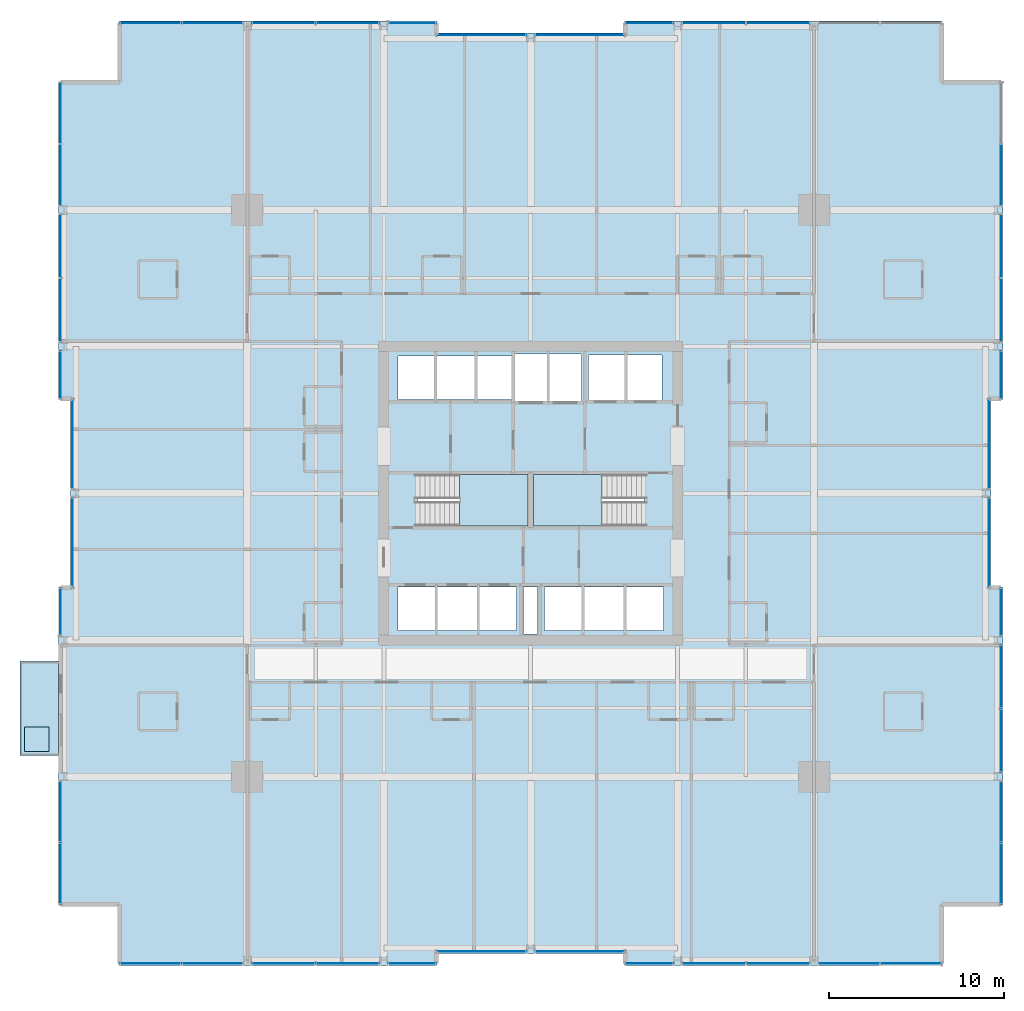
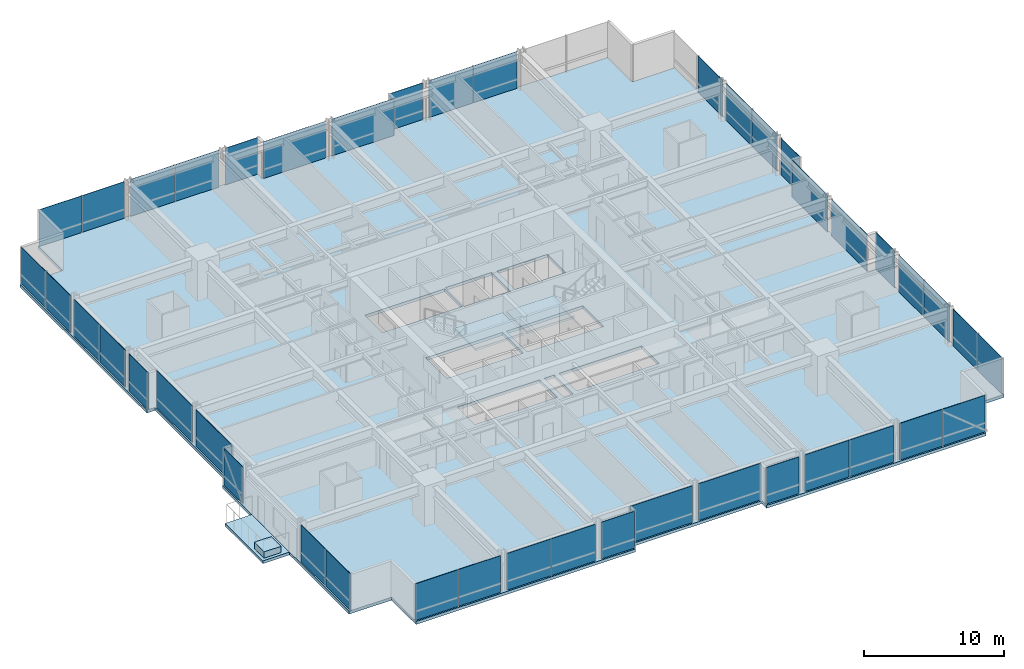
# One storey, part 29 of 39: 43 plates, 5 slabs, 32 elements without a shape of their own.
"""IFC4 building model written with IfcOpenShell, lengths in metres."""

from ifc_helpers import new_model, si_unit, direction, frame, origin, origin_2d, place, context, subcontext, project, spatial, polyline, rectangle, outline, extrude, material, layer, layer_set, type_object, element, aggregate, save


model = new_model("IFC4")

# Units and contexts
model_context = context("Model", 3, precision=1e-05, world=origin(), true_north=direction((0.0, 1.0)))
body_context = subcontext(model_context, "Body", "Model", "MODEL_VIEW")
ifc_project = project(units=[si_unit("LENGTHUNIT", "METRE"), si_unit("AREAUNIT", "SQUARE_METRE"), si_unit("VOLUMEUNIT", "CUBIC_METRE"), si_unit("PLANEANGLEUNIT", "RADIAN"), si_unit("MASSUNIT", "GRAM", prefix="KILO")], contexts=[model_context])

# Site, building, storey
site_placement = place(None, origin())
site = spatial("IfcSite", under=ifc_project, at=site_placement, CompositionType="ELEMENT")
building_placement = place(site_placement, origin())
building = spatial("IfcBuilding", under=site, at=building_placement, Name="Drelvath Grand Hotel", CompositionType="ELEMENT")
storey_placement = place(building_placement, frame((0.0, 0.0, 54.199951171875)))
storey = spatial("IfcBuildingStorey", under=building, at=storey_placement, Name="L12", CompositionType="ELEMENT", Elevation=54.199951171875)

# Slabs
ifc_material_1 = material(Name="Concrete f'c 40 MPa", Category="concrete")
ifc_layer_1 = layer(ifc_material_1, 0.239990234375)
ifc_layer_set_1 = layer_set([ifc_layer_1], Name="Concrete f'c 40 MPa")
slab_type_1 = type_object("IfcSlabType", Name="Cantilevered Tree Balcony Slab 240", PredefinedType="FLOOR", material=ifc_layer_set_1)
slab_1_placement = place(storey_placement, frame((0.0, 0.0, -0.239990234375)))
element("IfcSlab", 1, at=slab_1_placement, inside=storey, type_object=slab_type_1, Name="L12 Cantilevered Tree Balcony Slab 1", PredefinedType="FLOOR", context=body_context, shape_type="SweptSolid", body=[
    extrude(outline(polyline([(-29.199951171875, 12.0), (-27.0, 12.0), (-27.0, 17.39990234375), (-29.199951171875, 17.39990234375), (-29.199951171875, 12.0)])), origin(), (0.0, 0.0, 1.0), 0.239990234375),
])
ifc_layer_2 = layer(ifc_material_1, 0.260009765625)
ifc_layer_set_2 = layer_set([ifc_layer_2], Name="Concrete f'c 40 MPa")
slab_type_2 = type_object("IfcSlabType", Name="Composite RC Floor Slab 260", PredefinedType="FLOOR", material=ifc_layer_set_2)
slab_2_placement = place(storey_placement, frame((0.0, 0.0, -0.260009765625)))
element("IfcSlab", 2, at=slab_2_placement, inside=storey, type_object=slab_type_2, Name="L12 Structural Floor Slab", PredefinedType="FLOOR", context=body_context, shape_type="SweptSolid", body=[
    extrude(outline(polyline([(-23.5, 0.0), (-5.39990234375, 0.0), (-5.39990234375, 0.679931640625), (5.39990234375, 0.679931640625), (5.39990234375, 0.0), (23.5, 0.0), (23.5, 3.5), (27.0, 3.5), (27.0, 21.60009765625), (26.320068359375, 21.60009765625), (26.320068359375, 32.39990234375), (27.0, 32.39990234375), (27.0, 50.5), (23.5, 50.5), (23.5, 54.0), (5.39990234375, 54.0), (5.39990234375, 53.320068359375), (-5.39990234375, 53.320068359375), (-5.39990234375, 54.0), (-23.5, 54.0), (-23.5, 50.5), (-27.0, 50.5), (-27.0, 32.39990234375), (-26.320068359375, 32.39990234375), (-26.320068359375, 21.60009765625), (-27.0, 21.60009765625), (-27.0, 3.5), (-23.5, 3.5), (-23.5, 0.0)]), holes=[polyline([(-6.47998046875, 25.1201171875), (-6.47998046875, 28.080078125), (-0.14990234375, 28.080078125), (-0.14990234375, 25.1201171875), (-6.47998046875, 25.1201171875)]), polyline([(0.14990234375, 25.1201171875), (0.14990234375, 28.080078125), (6.47998046875, 28.080078125), (6.47998046875, 25.1201171875), (0.14990234375, 25.1201171875)]), polyline([(-7.60009765625, 19.14990234375), (-7.60009765625, 21.64990234375), (-0.800048828125, 21.64990234375), (-0.800048828125, 19.14990234375), (-7.60009765625, 19.14990234375)]), polyline([(-0.39990234375, 18.9599609375), (-0.39990234375, 21.639892578125), (0.39990234375, 21.639892578125), (0.39990234375, 18.9599609375), (-0.39990234375, 18.9599609375)]), polyline([(0.800048828125, 19.14990234375), (0.800048828125, 21.64990234375), (7.60009765625, 21.64990234375), (7.60009765625, 19.14990234375), (0.800048828125, 19.14990234375)]), polyline([(-7.60009765625, 32.35009765625), (-7.60009765625, 34.85009765625), (-1.02001953125, 34.85009765625), (-1.02001953125, 32.35009765625), (-7.60009765625, 32.35009765625)]), polyline([(-0.89990234375, 32.25), (-0.89990234375, 34.949951171875), (2.89990234375, 34.949951171875), (2.89990234375, 32.25), (-0.89990234375, 32.25)]), polyline([(3.300048828125, 32.300048828125), (3.300048828125, 34.89990234375), (7.5, 34.89990234375), (7.5, 32.300048828125), (3.300048828125, 32.300048828125)])]), origin(), (0.0, 0.0, 1.0), 0.260009765625),
])

# Stair, slab
ifc_material_2 = material(Name="Concrete C40/50", Category="concrete")
stair_type = type_object("IfcStairType", Name="Dogleg Exit Stair W1400-R175.0", PredefinedType="HALF_TURN_STAIR", material=ifc_material_2)
stair_1_placement = place(storey_placement, origin())
stair_1 = element("IfcStair", 3, at=stair_1_placement, inside=storey, type_object=stair_type, Name="L12 Core Exit Stair ST-1", PredefinedType="HALF_TURN_STAIR")
ifc_layer_3 = layer(ifc_material_2, 0.199951171875)
ifc_layer_set_3 = layer_set([ifc_layer_3], Name="Concrete C40/50")
slab_type_3 = type_object("IfcSlabType", Name="Concrete Stair Landing Slab 200", PredefinedType="LANDING", material=ifc_layer_set_3)
slab_3_placement = place(storey_placement, frame((0.0, 0.0, 1.550048828125)))
slab_3 = element("IfcSlab", 4, at=slab_3_placement, type_object=slab_type_3, Name="ST-1 landing 1", PredefinedType="LANDING", context=body_context, shape_type="SweptSolid", body=[
    extrude(outline(polyline([(-4.080078125, 25.1201171875), (-0.14990234375, 25.1201171875), (-0.14990234375, 28.080078125), (-4.080078125, 28.080078125), (-4.080078125, 25.1201171875)])), origin(), (0.0, 0.0, 1.0), 0.199951171875),
])
aggregate(stair_1, [slab_3])

stair_2_placement = place(storey_placement, origin())
stair_2 = element("IfcStair", 5, at=stair_2_placement, inside=storey, type_object=stair_type, Name="L12 Core Exit Stair ST-2", PredefinedType="HALF_TURN_STAIR")
slab_4_placement = place(storey_placement, frame((0.0, 0.0, 1.550048828125)))
slab_4 = element("IfcSlab", 6, at=slab_4_placement, type_object=slab_type_3, Name="ST-2 landing 1", PredefinedType="LANDING", context=body_context, shape_type="SweptSolid", body=[
    extrude(outline(polyline([(4.080078125, 28.080078125), (0.14990234375, 28.080078125), (0.14990234375, 25.1201171875), (4.080078125, 25.1201171875), (4.080078125, 28.080078125)])), origin(), (0.0, 0.0, 1.0), 0.199951171875),
])
aggregate(stair_2, [slab_4])

# Curtain wall, plates
ifc_material_3 = material(Name="Warm Bronze Anodised Aluminium Frame", Category="aluminium")
ifc_layer_4 = layer(ifc_material_3, 0.199951171875)
ifc_layer_set_4 = layer_set([ifc_layer_4], Name="Warm Bronze Anodised Aluminium Frame")
curtain_wall_type = type_object("IfcCurtainWallType", Name="Stick Curtain Wall CW-02 Warm Bronze Low-Rise", PredefinedType="NOTDEFINED", material=ifc_layer_set_4)
curtain_wall_1_placement = place(storey_placement, origin())
curtain_wall_1 = element("IfcCurtainWall", 7, at=curtain_wall_1_placement, inside=storey, type_object=curtain_wall_type, Name="L12 CW-02 Curtain Wall CW02-L12-WS1", PredefinedType="NOTDEFINED")
ifc_material_4 = material(Name="Low-E Triple Silver Vision Glass Bronze Tint", Category="glass")
ifc_layer_5 = layer(ifc_material_4, 0.035888671875)
ifc_layer_set_5 = layer_set([ifc_layer_5], Name="Low-E Triple Silver Vision Glass Bronze Tint")
plate_type = type_object("IfcPlateType", Name="Curtain Wall Vision Panel CW-02 36mm", PredefinedType="CURTAIN_PANEL", material=ifc_layer_set_5)
plate_1_placement = place(storey_placement, frame((-26.8798828125, 5.264892578125, 0.02001953125), z_axis=(0.0, 0.0, 1.0), x_axis=(0.0, 1.0, 0.0)))
plate_1 = element("IfcPlate", 8, at=plate_1_placement, type_object=plate_type, Name="CW02-L12-WS1 Glazed Panel 1", PredefinedType="CURTAIN_PANEL", context=body_context, shape_type="SweptSolid", body=[
    extrude(rectangle(XDim=3.489501953125, YDim=0.035888671875, at=origin_2d()), origin(), (0.0, 0.0, 1.0), 3.199951171875),
])
plate_2_placement = place(storey_placement, frame((-26.8798828125, 8.794189453125, 0.02001953125), z_axis=(0.0, 0.0, 1.0), x_axis=(0.0, 1.0, 0.0)))
plate_2 = element("IfcPlate", 9, at=plate_2_placement, type_object=plate_type, Name="CW02-L12-WS1 Glazed Panel 2", PredefinedType="CURTAIN_PANEL", context=body_context, shape_type="SweptSolid", body=[
    extrude(rectangle(XDim=3.489501953125, YDim=0.035888671875, at=origin_2d()), origin(), (0.0, 0.0, 1.0), 3.199951171875),
])
aggregate(curtain_wall_1, [plate_1, plate_2])

# Curtain wall, plate
curtain_wall_2_placement = place(storey_placement, origin())
curtain_wall_2 = element("IfcCurtainWall", 10, at=curtain_wall_2_placement, inside=storey, type_object=curtain_wall_type, Name="L12 CW-02 Curtain Wall CW02-L12-WS3", PredefinedType="NOTDEFINED")
plate_3_placement = place(storey_placement, frame((-26.8798828125, 20.220458984375, 0.02001953125), z_axis=(0.0, 0.0, 1.0), x_axis=(0.0, 1.0, 0.0)))
plate_3 = element("IfcPlate", 11, at=plate_3_placement, type_object=plate_type, Name="CW02-L12-WS3 Glazed Panel 1", PredefinedType="CURTAIN_PANEL", context=body_context, shape_type="SweptSolid", body=[
    extrude(rectangle(XDim=2.718994140625, YDim=0.035888671875, at=origin_2d()), origin(), (0.0, 0.0, 1.0), 3.199951171875),
])
aggregate(curtain_wall_2, [plate_3])

curtain_wall_3_placement = place(storey_placement, origin())
curtain_wall_3 = element("IfcCurtainWall", 12, at=curtain_wall_3_placement, inside=storey, type_object=curtain_wall_type, Name="L12 CW-02 Curtain Wall CW02-L12-WM1", PredefinedType="NOTDEFINED")
plate_4_placement = place(storey_placement, frame((-26.199951171875, 24.179443359375, 0.02001953125), z_axis=(0.0, 0.0, 1.0), x_axis=(0.0, 1.0, 0.0)))
plate_4 = element("IfcPlate", 13, at=plate_4_placement, type_object=plate_type, Name="CW02-L12-WM1 Glazed Panel 1", PredefinedType="CURTAIN_PANEL", context=body_context, shape_type="SweptSolid", body=[
    extrude(rectangle(XDim=5.119140625, YDim=0.035888671875, at=origin_2d()), origin(), (0.0, 0.0, 1.0), 3.199951171875),
])
aggregate(curtain_wall_3, [plate_4])

curtain_wall_4_placement = place(storey_placement, origin())
curtain_wall_4 = element("IfcCurtainWall", 14, at=curtain_wall_4_placement, inside=storey, type_object=curtain_wall_type, Name="L12 CW-02 Curtain Wall CW02-L12-WM2", PredefinedType="NOTDEFINED")
plate_5_placement = place(storey_placement, frame((-26.199951171875, 29.820556640625, 0.02001953125), z_axis=(0.0, 0.0, 1.0), x_axis=(0.0, 1.0, 0.0)))
plate_5 = element("IfcPlate", 15, at=plate_5_placement, type_object=plate_type, Name="CW02-L12-WM2 Glazed Panel 1", PredefinedType="CURTAIN_PANEL", context=body_context, shape_type="SweptSolid", body=[
    extrude(rectangle(XDim=5.119140625, YDim=0.035888671875, at=origin_2d()), origin(), (0.0, 0.0, 1.0), 3.199951171875),
])
aggregate(curtain_wall_4, [plate_5])

curtain_wall_5_placement = place(storey_placement, origin())
curtain_wall_5 = element("IfcCurtainWall", 16, at=curtain_wall_5_placement, inside=storey, type_object=curtain_wall_type, Name="L12 CW-02 Curtain Wall CW02-L12-WN1", PredefinedType="NOTDEFINED")
plate_6_placement = place(storey_placement, frame((-26.8798828125, 33.779541015625, 0.02001953125), z_axis=(0.0, 0.0, 1.0), x_axis=(0.0, 1.0, 0.0)))
plate_6 = element("IfcPlate", 17, at=plate_6_placement, type_object=plate_type, Name="CW02-L12-WN1 Glazed Panel 1", PredefinedType="CURTAIN_PANEL", context=body_context, shape_type="SweptSolid", body=[
    extrude(rectangle(XDim=2.718994140625, YDim=0.035888671875, at=origin_2d()), origin(), (0.0, 0.0, 1.0), 3.199951171875),
])
aggregate(curtain_wall_5, [plate_6])

# Curtain wall, plates
curtain_wall_6_placement = place(storey_placement, origin())
curtain_wall_6 = element("IfcCurtainWall", 18, at=curtain_wall_6_placement, inside=storey, type_object=curtain_wall_type, Name="L12 CW-02 Curtain Wall CW02-L12-WN2", PredefinedType="NOTDEFINED")
plate_7_placement = place(storey_placement, frame((-26.8798828125, 37.470458984375, 0.02001953125), z_axis=(0.0, 0.0, 1.0), x_axis=(0.0, 1.0, 0.0)))
plate_7 = element("IfcPlate", 19, at=plate_7_placement, type_object=plate_type, Name="CW02-L12-WN2 Glazed Panel 1", PredefinedType="CURTAIN_PANEL", context=body_context, shape_type="SweptSolid", body=[
    extrude(rectangle(XDim=3.619140625, YDim=0.035888671875, at=origin_2d()), origin(), (0.0, 0.0, 1.0), 3.199951171875),
])
plate_8_placement = place(storey_placement, frame((-26.8798828125, 41.129638671875, 0.02001953125), z_axis=(0.0, 0.0, 1.0), x_axis=(0.0, 1.0, 0.0)))
plate_8 = element("IfcPlate", 20, at=plate_8_placement, type_object=plate_type, Name="CW02-L12-WN2 Glazed Panel 2", PredefinedType="CURTAIN_PANEL", context=body_context, shape_type="SweptSolid", body=[
    extrude(rectangle(XDim=3.619140625, YDim=0.035888671875, at=origin_2d()), origin(), (0.0, 0.0, 1.0), 3.199951171875),
])
aggregate(curtain_wall_6, [plate_7, plate_8])

curtain_wall_7_placement = place(storey_placement, origin())
curtain_wall_7 = element("IfcCurtainWall", 21, at=curtain_wall_7_placement, inside=storey, type_object=curtain_wall_type, Name="L12 CW-02 Curtain Wall CW02-L12-WN3", PredefinedType="NOTDEFINED")
plate_9_placement = place(storey_placement, frame((-26.8798828125, 45.205810546875, 0.02001953125), z_axis=(0.0, 0.0, 1.0), x_axis=(0.0, 1.0, 0.0)))
plate_9 = element("IfcPlate", 22, at=plate_9_placement, type_object=plate_type, Name="CW02-L12-WN3 Glazed Panel 1", PredefinedType="CURTAIN_PANEL", context=body_context, shape_type="SweptSolid", body=[
    extrude(rectangle(XDim=3.489501953125, YDim=0.035888671875, at=origin_2d()), origin(), (0.0, 0.0, 1.0), 3.199951171875),
])
plate_10_placement = place(storey_placement, frame((-26.8798828125, 48.735107421875, 0.02001953125), z_axis=(0.0, 0.0, 1.0), x_axis=(0.0, 1.0, 0.0)))
plate_10 = element("IfcPlate", 23, at=plate_10_placement, type_object=plate_type, Name="CW02-L12-WN3 Glazed Panel 2", PredefinedType="CURTAIN_PANEL", context=body_context, shape_type="SweptSolid", body=[
    extrude(rectangle(XDim=3.489501953125, YDim=0.035888671875, at=origin_2d()), origin(), (0.0, 0.0, 1.0), 3.199951171875),
])
aggregate(curtain_wall_7, [plate_9, plate_10])

# Curtain wall, plate
curtain_wall_8_placement = place(storey_placement, origin())
curtain_wall_8 = element("IfcCurtainWall", 24, at=curtain_wall_8_placement, inside=storey, type_object=curtain_wall_type, Name="L12 CW-02 Curtain Wall CW02-L12-EN1", PredefinedType="NOTDEFINED")
plate_11_placement = place(storey_placement, frame((26.8798828125, 33.779541015625, 0.02001953125), z_axis=(0.0, 0.0, 1.0), x_axis=(0.0, -1.0, 0.0)))
plate_11 = element("IfcPlate", 25, at=plate_11_placement, type_object=plate_type, Name="CW02-L12-EN1 Glazed Panel 1", PredefinedType="CURTAIN_PANEL", context=body_context, shape_type="SweptSolid", body=[
    extrude(rectangle(XDim=2.718994140625, YDim=0.035888671875, at=origin_2d()), origin(), (0.0, 0.0, 1.0), 3.199951171875),
])
aggregate(curtain_wall_8, [plate_11])

# Curtain wall, plates
curtain_wall_9_placement = place(storey_placement, origin())
curtain_wall_9 = element("IfcCurtainWall", 26, at=curtain_wall_9_placement, inside=storey, type_object=curtain_wall_type, Name="L12 CW-02 Curtain Wall CW02-L12-EN2", PredefinedType="NOTDEFINED")
plate_12_placement = place(storey_placement, frame((26.8798828125, 41.129638671875, 0.02001953125), z_axis=(0.0, 0.0, 1.0), x_axis=(0.0, -1.0, 0.0)))
plate_12 = element("IfcPlate", 27, at=plate_12_placement, type_object=plate_type, Name="CW02-L12-EN2 Glazed Panel 1", PredefinedType="CURTAIN_PANEL", context=body_context, shape_type="SweptSolid", body=[
    extrude(rectangle(XDim=3.619140625, YDim=0.035888671875, at=origin_2d()), origin(), (0.0, 0.0, 1.0), 3.199951171875),
])
plate_13_placement = place(storey_placement, frame((26.8798828125, 37.470458984375, 0.02001953125), z_axis=(0.0, 0.0, 1.0), x_axis=(0.0, -1.0, 0.0)))
plate_13 = element("IfcPlate", 28, at=plate_13_placement, type_object=plate_type, Name="CW02-L12-EN2 Glazed Panel 2", PredefinedType="CURTAIN_PANEL", context=body_context, shape_type="SweptSolid", body=[
    extrude(rectangle(XDim=3.619140625, YDim=0.035888671875, at=origin_2d()), origin(), (0.0, 0.0, 1.0), 3.199951171875),
])
aggregate(curtain_wall_9, [plate_12, plate_13])

# Curtain wall, plate
curtain_wall_10_placement = place(storey_placement, origin())
curtain_wall_10 = element("IfcCurtainWall", 29, at=curtain_wall_10_placement, inside=storey, type_object=curtain_wall_type, Name="L12 CW-02 Curtain Wall CW02-L12-EN3", PredefinedType="NOTDEFINED")
plate_14_placement = place(storey_placement, frame((26.8798828125, 45.205810546875, 0.02001953125), z_axis=(0.0, 0.0, 1.0), x_axis=(0.0, -1.0, 0.0)))
plate_14 = element("IfcPlate", 30, at=plate_14_placement, type_object=plate_type, Name="CW02-L12-EN3 Glazed Panel 2", PredefinedType="CURTAIN_PANEL", context=body_context, shape_type="SweptSolid", body=[
    extrude(rectangle(XDim=3.489501953125, YDim=0.035888671875, at=origin_2d()), origin(), (0.0, 0.0, 1.0), 3.199951171875),
])
aggregate(curtain_wall_10, [plate_14])

curtain_wall_11_placement = place(storey_placement, origin())
curtain_wall_11 = element("IfcCurtainWall", 31, at=curtain_wall_11_placement, inside=storey, type_object=curtain_wall_type, Name="L12 CW-02 Curtain Wall CW02-L12-EM1", PredefinedType="NOTDEFINED")
plate_15_placement = place(storey_placement, frame((26.199951171875, 24.179443359375, 0.02001953125), z_axis=(0.0, 0.0, 1.0), x_axis=(0.0, -1.0, 0.0)))
plate_15 = element("IfcPlate", 32, at=plate_15_placement, type_object=plate_type, Name="CW02-L12-EM1 Glazed Panel 1", PredefinedType="CURTAIN_PANEL", context=body_context, shape_type="SweptSolid", body=[
    extrude(rectangle(XDim=5.119140625, YDim=0.035888671875, at=origin_2d()), origin(), (0.0, 0.0, 1.0), 3.199951171875),
])
aggregate(curtain_wall_11, [plate_15])

curtain_wall_12_placement = place(storey_placement, origin())
curtain_wall_12 = element("IfcCurtainWall", 33, at=curtain_wall_12_placement, inside=storey, type_object=curtain_wall_type, Name="L12 CW-02 Curtain Wall CW02-L12-EM2", PredefinedType="NOTDEFINED")
plate_16_placement = place(storey_placement, frame((26.199951171875, 29.820556640625, 0.02001953125), z_axis=(0.0, 0.0, 1.0), x_axis=(0.0, -1.0, 0.0)))
plate_16 = element("IfcPlate", 34, at=plate_16_placement, type_object=plate_type, Name="CW02-L12-EM2 Glazed Panel 1", PredefinedType="CURTAIN_PANEL", context=body_context, shape_type="SweptSolid", body=[
    extrude(rectangle(XDim=5.119140625, YDim=0.035888671875, at=origin_2d()), origin(), (0.0, 0.0, 1.0), 3.199951171875),
])
aggregate(curtain_wall_12, [plate_16])

# Curtain wall, plates
curtain_wall_13_placement = place(storey_placement, origin())
curtain_wall_13 = element("IfcCurtainWall", 35, at=curtain_wall_13_placement, inside=storey, type_object=curtain_wall_type, Name="L12 CW-02 Curtain Wall CW02-L12-ES1", PredefinedType="NOTDEFINED")
plate_17_placement = place(storey_placement, frame((26.8798828125, 8.794189453125, 0.02001953125), z_axis=(0.0, 0.0, 1.0), x_axis=(0.0, -1.0, 0.0)))
plate_17 = element("IfcPlate", 36, at=plate_17_placement, type_object=plate_type, Name="CW02-L12-ES1 Glazed Panel 1", PredefinedType="CURTAIN_PANEL", context=body_context, shape_type="SweptSolid", body=[
    extrude(rectangle(XDim=3.489501953125, YDim=0.035888671875, at=origin_2d()), origin(), (0.0, 0.0, 1.0), 3.199951171875),
])
plate_18_placement = place(storey_placement, frame((26.8798828125, 5.264892578125, 0.02001953125), z_axis=(0.0, 0.0, 1.0), x_axis=(0.0, -1.0, 0.0)))
plate_18 = element("IfcPlate", 37, at=plate_18_placement, type_object=plate_type, Name="CW02-L12-ES1 Glazed Panel 2", PredefinedType="CURTAIN_PANEL", context=body_context, shape_type="SweptSolid", body=[
    extrude(rectangle(XDim=3.489501953125, YDim=0.035888671875, at=origin_2d()), origin(), (0.0, 0.0, 1.0), 3.199951171875),
])
aggregate(curtain_wall_13, [plate_17, plate_18])

curtain_wall_14_placement = place(storey_placement, origin())
curtain_wall_14 = element("IfcCurtainWall", 38, at=curtain_wall_14_placement, inside=storey, type_object=curtain_wall_type, Name="L12 CW-02 Curtain Wall CW02-L12-ES2", PredefinedType="NOTDEFINED")
plate_19_placement = place(storey_placement, frame((26.8798828125, 16.529541015625, 0.02001953125), z_axis=(0.0, 0.0, 1.0), x_axis=(0.0, -1.0, 0.0)))
plate_19 = element("IfcPlate", 39, at=plate_19_placement, type_object=plate_type, Name="CW02-L12-ES2 Glazed Panel 1", PredefinedType="CURTAIN_PANEL", context=body_context, shape_type="SweptSolid", body=[
    extrude(rectangle(XDim=3.619140625, YDim=0.035888671875, at=origin_2d()), origin(), (0.0, 0.0, 1.0), 3.199951171875),
])
plate_20_placement = place(storey_placement, frame((26.8798828125, 12.870361328125, 0.02001953125), z_axis=(0.0, 0.0, 1.0), x_axis=(0.0, -1.0, 0.0)))
plate_20 = element("IfcPlate", 40, at=plate_20_placement, type_object=plate_type, Name="CW02-L12-ES2 Glazed Panel 2", PredefinedType="CURTAIN_PANEL", context=body_context, shape_type="SweptSolid", body=[
    extrude(rectangle(XDim=3.619140625, YDim=0.035888671875, at=origin_2d()), origin(), (0.0, 0.0, 1.0), 3.199951171875),
])
aggregate(curtain_wall_14, [plate_19, plate_20])

# Curtain wall, plate
curtain_wall_15_placement = place(storey_placement, origin())
curtain_wall_15 = element("IfcCurtainWall", 41, at=curtain_wall_15_placement, inside=storey, type_object=curtain_wall_type, Name="L12 CW-02 Curtain Wall CW02-L12-ES3", PredefinedType="NOTDEFINED")
plate_21_placement = place(storey_placement, frame((26.8798828125, 20.220458984375, 0.02001953125), z_axis=(0.0, 0.0, 1.0), x_axis=(0.0, -1.0, 0.0)))
plate_21 = element("IfcPlate", 42, at=plate_21_placement, type_object=plate_type, Name="CW02-L12-ES3 Glazed Panel 1", PredefinedType="CURTAIN_PANEL", context=body_context, shape_type="SweptSolid", body=[
    extrude(rectangle(XDim=2.718994140625, YDim=0.035888671875, at=origin_2d()), origin(), (0.0, 0.0, 1.0), 3.199951171875),
])
aggregate(curtain_wall_15, [plate_21])

# Curtain wall, plates
curtain_wall_16_placement = place(storey_placement, origin())
curtain_wall_16 = element("IfcCurtainWall", 43, at=curtain_wall_16_placement, inside=storey, type_object=curtain_wall_type, Name="L12 CW-02 Curtain Wall CW02-L12-NW1", PredefinedType="NOTDEFINED")
plate_22_placement = place(storey_placement, frame((-21.735107421875, 53.8798828125, 0.02001953125), z_axis=(0.0, 0.0, 1.0), x_axis=(1.0, 0.0, 0.0)))
plate_22 = element("IfcPlate", 44, at=plate_22_placement, type_object=plate_type, Name="CW02-L12-NW1 Glazed Panel 1", PredefinedType="CURTAIN_PANEL", context=body_context, shape_type="SweptSolid", body=[
    extrude(rectangle(XDim=3.489501953125, YDim=0.035888671875, at=origin_2d()), origin(), (0.0, 0.0, 1.0), 3.199951171875),
])
plate_23_placement = place(storey_placement, frame((-18.205810546875, 53.8798828125, 0.02001953125), z_axis=(0.0, 0.0, 1.0), x_axis=(1.0, 0.0, 0.0)))
plate_23 = element("IfcPlate", 45, at=plate_23_placement, type_object=plate_type, Name="CW02-L12-NW1 Glazed Panel 2", PredefinedType="CURTAIN_PANEL", context=body_context, shape_type="SweptSolid", body=[
    extrude(rectangle(XDim=3.489501953125, YDim=0.035888671875, at=origin_2d()), origin(), (0.0, 0.0, 1.0), 3.199951171875),
])
aggregate(curtain_wall_16, [plate_22, plate_23])

curtain_wall_17_placement = place(storey_placement, origin())
curtain_wall_17 = element("IfcCurtainWall", 46, at=curtain_wall_17_placement, inside=storey, type_object=curtain_wall_type, Name="L12 CW-02 Curtain Wall CW02-L12-NW2", PredefinedType="NOTDEFINED")
plate_24_placement = place(storey_placement, frame((-14.129638671875, 53.8798828125, 0.02001953125), z_axis=(0.0, 0.0, 1.0), x_axis=(1.0, 0.0, 0.0)))
plate_24 = element("IfcPlate", 47, at=plate_24_placement, type_object=plate_type, Name="CW02-L12-NW2 Glazed Panel 1", PredefinedType="CURTAIN_PANEL", context=body_context, shape_type="SweptSolid", body=[
    extrude(rectangle(XDim=3.619140625, YDim=0.035888671875, at=origin_2d()), origin(), (0.0, 0.0, 1.0), 3.199951171875),
])
plate_25_placement = place(storey_placement, frame((-10.470458984375, 53.8798828125, 0.02001953125), z_axis=(0.0, 0.0, 1.0), x_axis=(1.0, 0.0, 0.0)))
plate_25 = element("IfcPlate", 48, at=plate_25_placement, type_object=plate_type, Name="CW02-L12-NW2 Glazed Panel 2", PredefinedType="CURTAIN_PANEL", context=body_context, shape_type="SweptSolid", body=[
    extrude(rectangle(XDim=3.619140625, YDim=0.035888671875, at=origin_2d()), origin(), (0.0, 0.0, 1.0), 3.199951171875),
])
aggregate(curtain_wall_17, [plate_24, plate_25])

# Curtain wall, plate
curtain_wall_18_placement = place(storey_placement, origin())
curtain_wall_18 = element("IfcCurtainWall", 49, at=curtain_wall_18_placement, inside=storey, type_object=curtain_wall_type, Name="L12 CW-02 Curtain Wall CW02-L12-NW3", PredefinedType="NOTDEFINED")
plate_26_placement = place(storey_placement, frame((-6.779541015625, 53.8798828125, 0.02001953125), z_axis=(0.0, 0.0, 1.0), x_axis=(1.0, 0.0, 0.0)))
plate_26 = element("IfcPlate", 50, at=plate_26_placement, type_object=plate_type, Name="CW02-L12-NW3 Glazed Panel 1", PredefinedType="CURTAIN_PANEL", context=body_context, shape_type="SweptSolid", body=[
    extrude(rectangle(XDim=2.718994140625, YDim=0.035888671875, at=origin_2d()), origin(), (0.0, 0.0, 1.0), 3.199951171875),
])
aggregate(curtain_wall_18, [plate_26])

curtain_wall_19_placement = place(storey_placement, origin())
curtain_wall_19 = element("IfcCurtainWall", 51, at=curtain_wall_19_placement, inside=storey, type_object=curtain_wall_type, Name="L12 CW-02 Curtain Wall CW02-L12-NM1", PredefinedType="NOTDEFINED")
plate_27_placement = place(storey_placement, frame((-2.820556640625, 53.199951171875, 0.02001953125), z_axis=(0.0, 0.0, 1.0), x_axis=(1.0, 0.0, 0.0)))
plate_27 = element("IfcPlate", 52, at=plate_27_placement, type_object=plate_type, Name="CW02-L12-NM1 Glazed Panel 1", PredefinedType="CURTAIN_PANEL", context=body_context, shape_type="SweptSolid", body=[
    extrude(rectangle(XDim=5.119140625, YDim=0.035888671875, at=origin_2d()), origin(), (0.0, 0.0, 1.0), 3.199951171875),
])
aggregate(curtain_wall_19, [plate_27])

curtain_wall_20_placement = place(storey_placement, origin())
curtain_wall_20 = element("IfcCurtainWall", 53, at=curtain_wall_20_placement, inside=storey, type_object=curtain_wall_type, Name="L12 CW-02 Curtain Wall CW02-L12-NM2", PredefinedType="NOTDEFINED")
plate_28_placement = place(storey_placement, frame((2.820556640625, 53.199951171875, 0.02001953125), z_axis=(0.0, 0.0, 1.0), x_axis=(1.0, 0.0, 0.0)))
plate_28 = element("IfcPlate", 54, at=plate_28_placement, type_object=plate_type, Name="CW02-L12-NM2 Glazed Panel 1", PredefinedType="CURTAIN_PANEL", context=body_context, shape_type="SweptSolid", body=[
    extrude(rectangle(XDim=5.119140625, YDim=0.035888671875, at=origin_2d()), origin(), (0.0, 0.0, 1.0), 3.199951171875),
])
aggregate(curtain_wall_20, [plate_28])

curtain_wall_21_placement = place(storey_placement, origin())
curtain_wall_21 = element("IfcCurtainWall", 55, at=curtain_wall_21_placement, inside=storey, type_object=curtain_wall_type, Name="L12 CW-02 Curtain Wall CW02-L12-NE1", PredefinedType="NOTDEFINED")
plate_29_placement = place(storey_placement, frame((6.779541015625, 53.8798828125, 0.02001953125), z_axis=(0.0, 0.0, 1.0), x_axis=(1.0, 0.0, 0.0)))
plate_29 = element("IfcPlate", 56, at=plate_29_placement, type_object=plate_type, Name="CW02-L12-NE1 Glazed Panel 1", PredefinedType="CURTAIN_PANEL", context=body_context, shape_type="SweptSolid", body=[
    extrude(rectangle(XDim=2.718994140625, YDim=0.035888671875, at=origin_2d()), origin(), (0.0, 0.0, 1.0), 3.199951171875),
])
aggregate(curtain_wall_21, [plate_29])

# Curtain wall, plates
curtain_wall_22_placement = place(storey_placement, origin())
curtain_wall_22 = element("IfcCurtainWall", 57, at=curtain_wall_22_placement, inside=storey, type_object=curtain_wall_type, Name="L12 CW-02 Curtain Wall CW02-L12-NE2", PredefinedType="NOTDEFINED")
plate_30_placement = place(storey_placement, frame((10.470458984375, 53.8798828125, 0.02001953125), z_axis=(0.0, 0.0, 1.0), x_axis=(1.0, 0.0, 0.0)))
plate_30 = element("IfcPlate", 58, at=plate_30_placement, type_object=plate_type, Name="CW02-L12-NE2 Glazed Panel 1", PredefinedType="CURTAIN_PANEL", context=body_context, shape_type="SweptSolid", body=[
    extrude(rectangle(XDim=3.619140625, YDim=0.035888671875, at=origin_2d()), origin(), (0.0, 0.0, 1.0), 3.199951171875),
])
plate_31_placement = place(storey_placement, frame((14.129638671875, 53.8798828125, 0.02001953125), z_axis=(0.0, 0.0, 1.0), x_axis=(1.0, 0.0, 0.0)))
plate_31 = element("IfcPlate", 59, at=plate_31_placement, type_object=plate_type, Name="CW02-L12-NE2 Glazed Panel 2", PredefinedType="CURTAIN_PANEL", context=body_context, shape_type="SweptSolid", body=[
    extrude(rectangle(XDim=3.619140625, YDim=0.035888671875, at=origin_2d()), origin(), (0.0, 0.0, 1.0), 3.199951171875),
])
aggregate(curtain_wall_22, [plate_30, plate_31])

# Curtain wall, plate
curtain_wall_23_placement = place(storey_placement, origin())
curtain_wall_23 = element("IfcCurtainWall", 60, at=curtain_wall_23_placement, inside=storey, type_object=curtain_wall_type, Name="L12 CW-02 Curtain Wall CW02-L12-SE1", PredefinedType="NOTDEFINED")
plate_32_placement = place(storey_placement, frame((6.779541015625, 0.1201171875, 0.02001953125), z_axis=(0.0, 0.0, 1.0), x_axis=(-1.0, 0.0, 0.0)))
plate_32 = element("IfcPlate", 61, at=plate_32_placement, type_object=plate_type, Name="CW02-L12-SE1 Glazed Panel 1", PredefinedType="CURTAIN_PANEL", context=body_context, shape_type="SweptSolid", body=[
    extrude(rectangle(XDim=2.718994140625, YDim=0.035888671875, at=origin_2d()), origin(), (0.0, 0.0, 1.0), 3.199951171875),
])
aggregate(curtain_wall_23, [plate_32])

# Curtain wall, plates
curtain_wall_24_placement = place(storey_placement, origin())
curtain_wall_24 = element("IfcCurtainWall", 62, at=curtain_wall_24_placement, inside=storey, type_object=curtain_wall_type, Name="L12 CW-02 Curtain Wall CW02-L12-SE2", PredefinedType="NOTDEFINED")
plate_33_placement = place(storey_placement, frame((14.129638671875, 0.1201171875, 0.02001953125), z_axis=(0.0, 0.0, 1.0), x_axis=(-1.0, 0.0, 0.0)))
plate_33 = element("IfcPlate", 63, at=plate_33_placement, type_object=plate_type, Name="CW02-L12-SE2 Glazed Panel 1", PredefinedType="CURTAIN_PANEL", context=body_context, shape_type="SweptSolid", body=[
    extrude(rectangle(XDim=3.619140625, YDim=0.035888671875, at=origin_2d()), origin(), (0.0, 0.0, 1.0), 3.199951171875),
])
plate_34_placement = place(storey_placement, frame((10.470458984375, 0.1201171875, 0.02001953125), z_axis=(0.0, 0.0, 1.0), x_axis=(-1.0, 0.0, 0.0)))
plate_34 = element("IfcPlate", 64, at=plate_34_placement, type_object=plate_type, Name="CW02-L12-SE2 Glazed Panel 2", PredefinedType="CURTAIN_PANEL", context=body_context, shape_type="SweptSolid", body=[
    extrude(rectangle(XDim=3.619140625, YDim=0.035888671875, at=origin_2d()), origin(), (0.0, 0.0, 1.0), 3.199951171875),
])
aggregate(curtain_wall_24, [plate_33, plate_34])

curtain_wall_25_placement = place(storey_placement, origin())
curtain_wall_25 = element("IfcCurtainWall", 65, at=curtain_wall_25_placement, inside=storey, type_object=curtain_wall_type, Name="L12 CW-02 Curtain Wall CW02-L12-SE3", PredefinedType="NOTDEFINED")
plate_35_placement = place(storey_placement, frame((21.735107421875, 0.1201171875, 0.02001953125), z_axis=(0.0, 0.0, 1.0), x_axis=(-1.0, 0.0, 0.0)))
plate_35 = element("IfcPlate", 66, at=plate_35_placement, type_object=plate_type, Name="CW02-L12-SE3 Glazed Panel 1", PredefinedType="CURTAIN_PANEL", context=body_context, shape_type="SweptSolid", body=[
    extrude(rectangle(XDim=3.489501953125, YDim=0.035888671875, at=origin_2d()), origin(), (0.0, 0.0, 1.0), 3.199951171875),
])
plate_36_placement = place(storey_placement, frame((18.205810546875, 0.1201171875, 0.02001953125), z_axis=(0.0, 0.0, 1.0), x_axis=(-1.0, 0.0, 0.0)))
plate_36 = element("IfcPlate", 67, at=plate_36_placement, type_object=plate_type, Name="CW02-L12-SE3 Glazed Panel 2", PredefinedType="CURTAIN_PANEL", context=body_context, shape_type="SweptSolid", body=[
    extrude(rectangle(XDim=3.489501953125, YDim=0.035888671875, at=origin_2d()), origin(), (0.0, 0.0, 1.0), 3.199951171875),
])
aggregate(curtain_wall_25, [plate_35, plate_36])

# Curtain wall, plate
curtain_wall_26_placement = place(storey_placement, origin())
curtain_wall_26 = element("IfcCurtainWall", 68, at=curtain_wall_26_placement, inside=storey, type_object=curtain_wall_type, Name="L12 CW-02 Curtain Wall CW02-L12-SM1", PredefinedType="NOTDEFINED")
plate_37_placement = place(storey_placement, frame((-2.820556640625, 0.800048828125, 0.02001953125), z_axis=(0.0, 0.0, 1.0), x_axis=(-1.0, 0.0, 0.0)))
plate_37 = element("IfcPlate", 69, at=plate_37_placement, type_object=plate_type, Name="CW02-L12-SM1 Glazed Panel 1", PredefinedType="CURTAIN_PANEL", context=body_context, shape_type="SweptSolid", body=[
    extrude(rectangle(XDim=5.119140625, YDim=0.035888671875, at=origin_2d()), origin(), (0.0, 0.0, 1.0), 3.199951171875),
])
aggregate(curtain_wall_26, [plate_37])

curtain_wall_27_placement = place(storey_placement, origin())
curtain_wall_27 = element("IfcCurtainWall", 70, at=curtain_wall_27_placement, inside=storey, type_object=curtain_wall_type, Name="L12 CW-02 Curtain Wall CW02-L12-SM2", PredefinedType="NOTDEFINED")
plate_38_placement = place(storey_placement, frame((2.820556640625, 0.800048828125, 0.02001953125), z_axis=(0.0, 0.0, 1.0), x_axis=(-1.0, 0.0, 0.0)))
plate_38 = element("IfcPlate", 71, at=plate_38_placement, type_object=plate_type, Name="CW02-L12-SM2 Glazed Panel 1", PredefinedType="CURTAIN_PANEL", context=body_context, shape_type="SweptSolid", body=[
    extrude(rectangle(XDim=5.119140625, YDim=0.035888671875, at=origin_2d()), origin(), (0.0, 0.0, 1.0), 3.199951171875),
])
aggregate(curtain_wall_27, [plate_38])

# Curtain wall, plates
curtain_wall_28_placement = place(storey_placement, origin())
curtain_wall_28 = element("IfcCurtainWall", 72, at=curtain_wall_28_placement, inside=storey, type_object=curtain_wall_type, Name="L12 CW-02 Curtain Wall CW02-L12-SW1", PredefinedType="NOTDEFINED")
plate_39_placement = place(storey_placement, frame((-18.205810546875, 0.1201171875, 0.02001953125), z_axis=(0.0, 0.0, 1.0), x_axis=(-1.0, 0.0, 0.0)))
plate_39 = element("IfcPlate", 73, at=plate_39_placement, type_object=plate_type, Name="CW02-L12-SW1 Glazed Panel 1", PredefinedType="CURTAIN_PANEL", context=body_context, shape_type="SweptSolid", body=[
    extrude(rectangle(XDim=3.489501953125, YDim=0.035888671875, at=origin_2d()), origin(), (0.0, 0.0, 1.0), 3.199951171875),
])
plate_40_placement = place(storey_placement, frame((-21.735107421875, 0.1201171875, 0.02001953125), z_axis=(0.0, 0.0, 1.0), x_axis=(-1.0, 0.0, 0.0)))
plate_40 = element("IfcPlate", 74, at=plate_40_placement, type_object=plate_type, Name="CW02-L12-SW1 Glazed Panel 2", PredefinedType="CURTAIN_PANEL", context=body_context, shape_type="SweptSolid", body=[
    extrude(rectangle(XDim=3.489501953125, YDim=0.035888671875, at=origin_2d()), origin(), (0.0, 0.0, 1.0), 3.199951171875),
])
aggregate(curtain_wall_28, [plate_39, plate_40])

curtain_wall_29_placement = place(storey_placement, origin())
curtain_wall_29 = element("IfcCurtainWall", 75, at=curtain_wall_29_placement, inside=storey, type_object=curtain_wall_type, Name="L12 CW-02 Curtain Wall CW02-L12-SW2", PredefinedType="NOTDEFINED")
plate_41_placement = place(storey_placement, frame((-10.470458984375, 0.1201171875, 0.02001953125), z_axis=(0.0, 0.0, 1.0), x_axis=(-1.0, 0.0, 0.0)))
plate_41 = element("IfcPlate", 76, at=plate_41_placement, type_object=plate_type, Name="CW02-L12-SW2 Glazed Panel 1", PredefinedType="CURTAIN_PANEL", context=body_context, shape_type="SweptSolid", body=[
    extrude(rectangle(XDim=3.619140625, YDim=0.035888671875, at=origin_2d()), origin(), (0.0, 0.0, 1.0), 3.199951171875),
])
plate_42_placement = place(storey_placement, frame((-14.129638671875, 0.1201171875, 0.02001953125), z_axis=(0.0, 0.0, 1.0), x_axis=(-1.0, 0.0, 0.0)))
plate_42 = element("IfcPlate", 77, at=plate_42_placement, type_object=plate_type, Name="CW02-L12-SW2 Glazed Panel 2", PredefinedType="CURTAIN_PANEL", context=body_context, shape_type="SweptSolid", body=[
    extrude(rectangle(XDim=3.619140625, YDim=0.035888671875, at=origin_2d()), origin(), (0.0, 0.0, 1.0), 3.199951171875),
])
aggregate(curtain_wall_29, [plate_41, plate_42])

# Curtain wall, plate
curtain_wall_30_placement = place(storey_placement, origin())
curtain_wall_30 = element("IfcCurtainWall", 78, at=curtain_wall_30_placement, inside=storey, type_object=curtain_wall_type, Name="L12 CW-02 Curtain Wall CW02-L12-SW3", PredefinedType="NOTDEFINED")
plate_43_placement = place(storey_placement, frame((-6.779541015625, 0.1201171875, 0.02001953125), z_axis=(0.0, 0.0, 1.0), x_axis=(-1.0, 0.0, 0.0)))
plate_43 = element("IfcPlate", 79, at=plate_43_placement, type_object=plate_type, Name="CW02-L12-SW3 Glazed Panel 1", PredefinedType="CURTAIN_PANEL", context=body_context, shape_type="SweptSolid", body=[
    extrude(rectangle(XDim=2.718994140625, YDim=0.035888671875, at=origin_2d()), origin(), (0.0, 0.0, 1.0), 3.199951171875),
])
aggregate(curtain_wall_30, [plate_43])

# Slab
ifc_layer_6 = layer(ifc_material_1, 0.550048828125)
ifc_layer_set_6 = layer_set([ifc_layer_6], Name="Concrete f'c 40 MPa")
slab_type_4 = type_object("IfcSlabType", Name="Structural Tree Planter Box 550", PredefinedType="USERDEFINED", material=ifc_layer_set_6)
slab_5_placement = place(storey_placement, origin())
element("IfcSlab", 80, at=slab_5_placement, inside=storey, type_object=slab_type_4, Name="L12 Tree Balcony Structural Planter 1", ObjectType="PLANTER", PredefinedType="USERDEFINED", context=body_context, shape_type="SweptSolid", body=[
    extrude(outline(polyline([(-28.949951171875, 12.25), (-27.550048828125, 12.25), (-27.550048828125, 13.64990234375), (-28.949951171875, 13.64990234375), (-28.949951171875, 12.25)])), origin(), (0.0, 0.0, 1.0), 0.550048828125),
])

save(model, "model.ifc")
